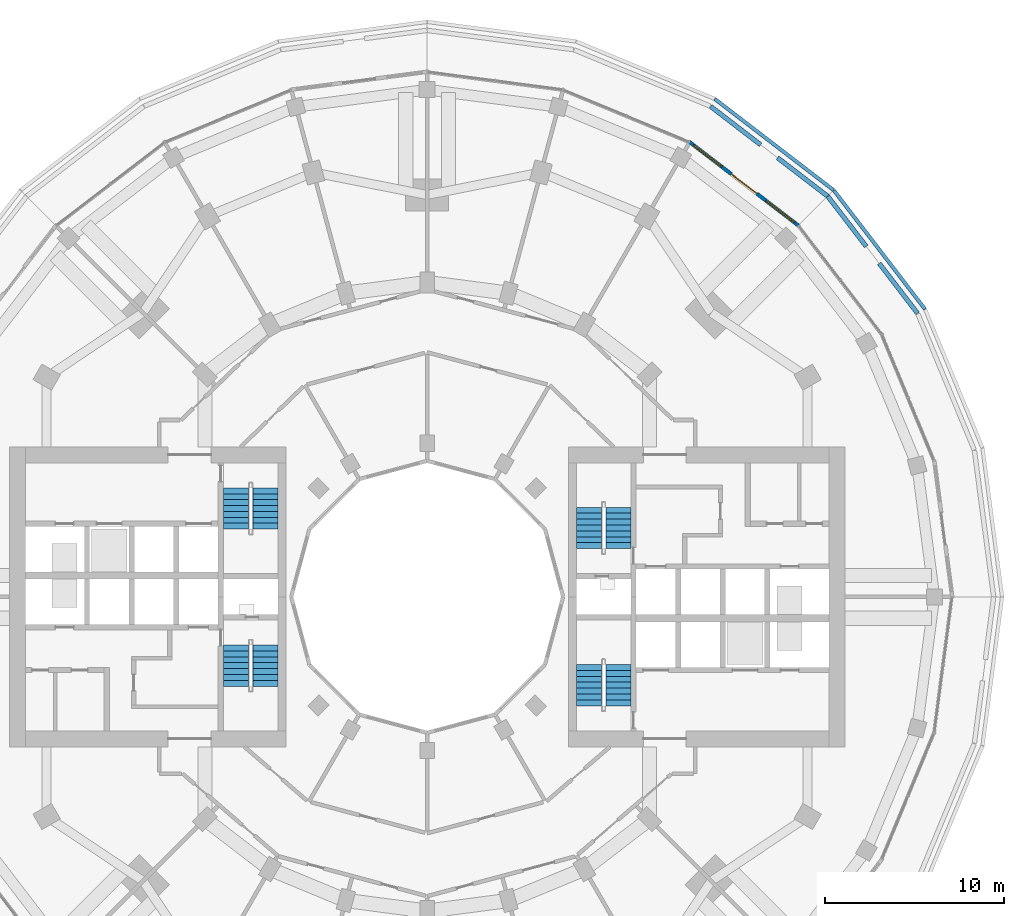
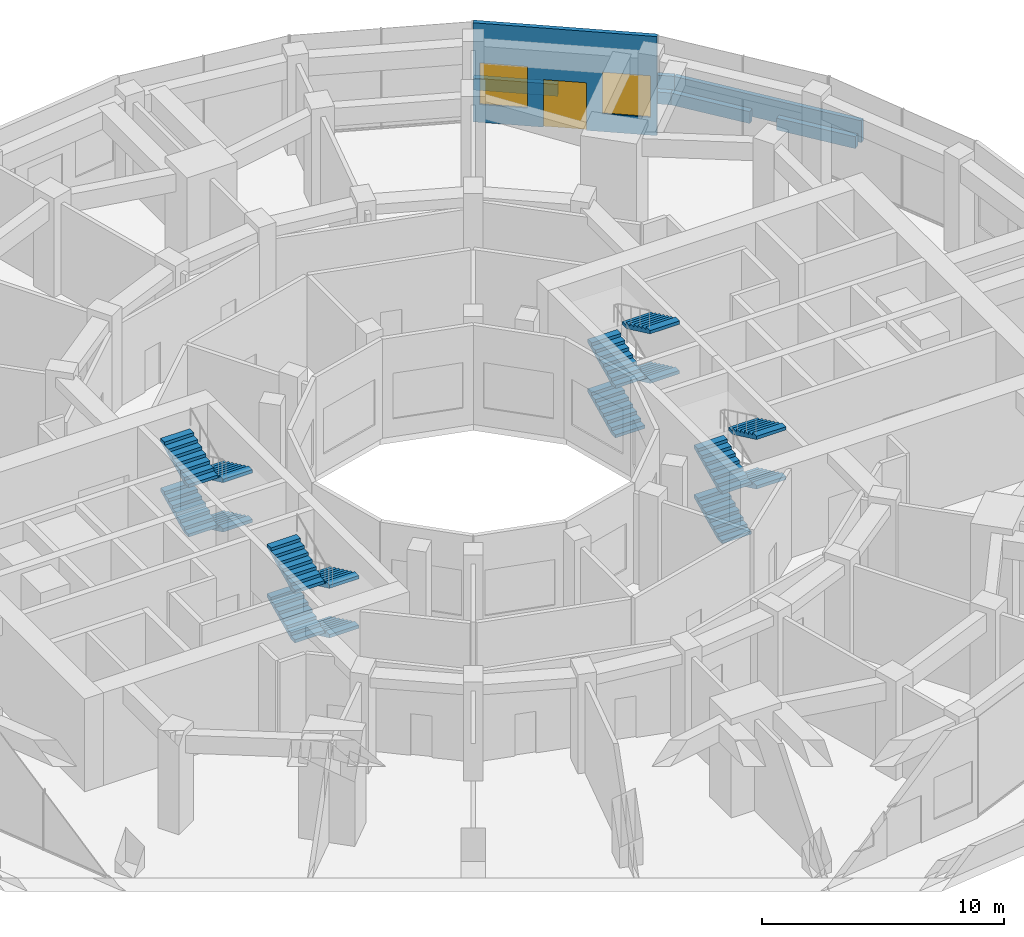
# One storey, part 17 of 19: 16 stair flights, 7 walls, 2 windows, 1 door, 3 openings, 4 elements without a shape of their own.
"""IFC4 building model written with IfcOpenShell, lengths in metres."""

from ifc_helpers import new_model, si_unit, direction, frame, frame_2d, origin, place, context, subcontext, project, spatial, polyline, rectangle, outline, extrude, material, layer, layer_set, type_object, element, fill, aggregate, save


model = new_model("IFC4")

# Units and contexts
model_context = context("Model", 3, precision=1e-05, world=origin(), true_north=direction((0.0, 1.0)))
body_context = subcontext(model_context, "Body", "Model", "MODEL_VIEW")
ifc_project = project(units=[si_unit("LENGTHUNIT", "METRE"), si_unit("AREAUNIT", "SQUARE_METRE"), si_unit("VOLUMEUNIT", "CUBIC_METRE"), si_unit("PLANEANGLEUNIT", "RADIAN"), si_unit("MASSUNIT", "GRAM", prefix="KILO")], contexts=[model_context])

# Site, building, storey
site_placement = place(None, origin())
site = spatial("IfcSite", under=ifc_project, at=site_placement, CompositionType="ELEMENT")
building_placement = place(site_placement, origin())
building = spatial("IfcBuilding", under=site, at=building_placement, Name="Torre Brocal", CompositionType="ELEMENT")
storey_placement = place(building_placement, frame((0.0, 0.0, 23.800048828125)))
storey = spatial("IfcBuildingStorey", under=building, at=storey_placement, Name="L04", CompositionType="ELEMENT", Elevation=23.800048828125)

# Wall, openings, windows, door
ifc_material_1 = material(Name="Concrete C40", Category="concrete")
ifc_layer_1 = layer(ifc_material_1, 0.199951171875)
ifc_layer_set_1 = layer_set([ifc_layer_1], Name="Concrete C40")
wall_type_1 = type_object("IfcWallType", Name="EXTERNAL WALL 200", PredefinedType="NOTDEFINED", material=ifc_layer_set_1)
wall_1_placement = place(storey_placement, frame((100.788330078125, 95.788330078125, 0.0), z_axis=(0.0, 0.0, 1.0), x_axis=(-0.793355415567, 0.608758724447, 0.0)))
wall_1 = element("IfcWall", 1, at=wall_1_placement, inside=storey, type_object=wall_type_1, Name="EXTERNAL WALL", PredefinedType="NOTDEFINED", context=body_context, shape_type="SweptSolid", body=[
    extrude(rectangle(XDim=7.6748046875, YDim=0.199951171875, at=frame_2d((3.83740234375, 0.0))), origin(), (0.0, 0.0, 1.0), 5.0),
])
opening_1_placement = place(wall_1_placement, frame((0.279052734375, 0.0, 0.89990234375)))
opening_1 = element("IfcOpeningElement", 2, at=opening_1_placement, cuts=wall_1, Name="Opening W8", PredefinedType="OPENING", context=body_context, shape_type="SweptSolid", body=[
    extrude(rectangle(XDim=2.0, YDim=2.10009765625, at=frame_2d((1.0, 1.050048828125))), frame((0.0, 0.10986328125, 0.0), z_axis=(0.0, -1.0, 0.0), x_axis=(1.0, 0.0, 0.0)), (0.0, 0.0, 1.0), 0.219970703125),
])
opening_2_placement = place(wall_1_placement, frame((2.937255859375, 0.0, 0.0)))
opening_2 = element("IfcOpeningElement", 3, at=opening_2_placement, cuts=wall_1, Name="Opening L04-E02", PredefinedType="OPENING", context=body_context, shape_type="SweptSolid", body=[
    extrude(rectangle(XDim=1.800048828125, YDim=2.39990234375, at=frame_2d((0.89990234375, 1.199951171875))), frame((0.0, 0.10986328125, 0.0), z_axis=(0.0, -1.0, 0.0), x_axis=(1.0, 0.0, 0.0)), (0.0, 0.0, 1.0), 0.219970703125),
])
opening_3_placement = place(wall_1_placement, frame((5.3955078125, 0.0, 0.89990234375)))
opening_3 = element("IfcOpeningElement", 4, at=opening_3_placement, cuts=wall_1, Name="Opening W8", PredefinedType="OPENING", context=body_context, shape_type="SweptSolid", body=[
    extrude(rectangle(XDim=2.0, YDim=2.10009765625, at=frame_2d((1.0, 1.050048828125))), frame((0.0, 0.10986328125, 0.0), z_axis=(0.0, -1.0, 0.0), x_axis=(1.0, 0.0, 0.0)), (0.0, 0.0, 1.0), 0.219970703125),
])
ifc_material_2 = material(Name="Aluminium and glass", Category="aluminium")
window_type = type_object("IfcWindowType", Name="PODIUM WINDOW 2000X2100", PartitioningType="SINGLE_PANEL", PredefinedType="WINDOW", material=ifc_material_2)
window_1_placement = place(opening_1_placement, origin())
window_1 = element("IfcWindow", 5, at=window_1_placement, inside=storey, type_object=window_type, Name="PODIUM WINDOW 2000X2100", OverallHeight=2.10009765625, OverallWidth=2.0, PartitioningType="SINGLE_PANEL", PredefinedType="WINDOW", context=body_context, shape_type="SweptSolid", body=[
    extrude(rectangle(XDim=2.0, YDim=2.10009765625, at=frame_2d((1.0, 1.050048828125))), frame((0.0, 0.030029296875, 0.0), z_axis=(0.0, -1.0, 0.0), x_axis=(1.0, 0.0, 0.0)), (0.0, 0.0, 1.0), 0.06005859375),
])
fill(opening_1, window_1)
window_2_placement = place(opening_3_placement, origin())
window_2 = element("IfcWindow", 6, at=window_2_placement, inside=storey, type_object=window_type, Name="PODIUM WINDOW 2000X2100", OverallHeight=2.10009765625, OverallWidth=2.0, PartitioningType="SINGLE_PANEL", PredefinedType="WINDOW", context=body_context, shape_type="SweptSolid", body=[
    extrude(rectangle(XDim=2.0, YDim=2.10009765625, at=frame_2d((1.0, 1.050048828125))), frame((0.0, 0.030029296875, 0.0), z_axis=(0.0, -1.0, 0.0), x_axis=(1.0, 0.0, 0.0)), (0.0, 0.0, 1.0), 0.06005859375),
])
fill(opening_3, window_2)
ifc_material_3 = material(Name="Aluminium and glass", Category="aluminium")
door_type = type_object("IfcDoorType", Name="TERRACE DOUBLE DOOR 1800X2400", OperationType="DOUBLE_DOOR_SINGLE_SWING", PredefinedType="DOOR", material=ifc_material_3)
door_placement = place(opening_2_placement, frame((1.800048828125, 0.0, 0.0), z_axis=(0.0, 0.0, 1.0), x_axis=(-1.0, 0.0, 0.0)))
door = element("IfcDoor", 7, at=door_placement, inside=storey, type_object=door_type, Name="DOOR L04-E02", OperationType="DOUBLE_DOOR_SINGLE_SWING", OverallHeight=2.39990234375, OverallWidth=1.800048828125, PredefinedType="DOOR", context=body_context, shape_type="SweptSolid", body=[
    extrude(rectangle(XDim=1.800048828125, YDim=2.39990234375, at=frame_2d((0.89990234375, 1.199951171875))), frame((0.0, 0.02490234375, 0.0), z_axis=(0.0, -1.0, 0.0), x_axis=(1.0, 0.0, 0.0)), (0.0, 0.0, 1.0), 0.050048828125),
])
fill(opening_2, door)

# Walls
ifc_material_4 = material(Name="Concrete C40", Category="concrete")
ifc_layer_2 = layer(ifc_material_4, 0.199951171875)
ifc_layer_set_2 = layer_set([ifc_layer_2], Name="Concrete C40")
wall_type_2 = type_object("IfcWallType", Name="PARAPET WALL 200 THICK 1100 HIGH 4", PredefinedType="PARAPET", material=ifc_layer_set_2)
for number, where, z_axis, x_axis, name in (
    (8, (96.109130859375, 102.875732421875, 0.0), (0.0, 0.0, 1.0), (0.793350233536, -0.60876547779, 0.0), "PARAPET WALL 21"),
    (9, (102.77490234375, 97.756591796875, 0.0), (0.0, 0.0, 1.0), (0.60876547779, -0.793350233536, 0.0), "PARAPET WALL 22"),
):
    element("IfcWall", number, at=place(storey_placement, frame(where, z_axis=z_axis, x_axis=x_axis)), inside=storey, type_object=wall_type_2, Name=name, PredefinedType="PARAPET", context=body_context, shape_type="SweptSolid", body=[
        extrude(rectangle(XDim=8.37890625, YDim=0.199951171875, at=frame_2d((4.189453125, 0.0))), origin(), (0.0, 0.0, 1.0), 1.099853515625),
    ])
ifc_material_5 = material(Name="Concrete C35", Category="concrete")
ifc_layer_3 = layer(ifc_material_5, 0.25)
ifc_layer_set_3 = layer_set([ifc_layer_3], Name="Concrete C35")
wall_type_3 = type_object("IfcWallType", Name="PLANTER WALL 250 THICK 600 HIGH 4", PredefinedType="USERDEFINED", material=ifc_layer_set_3)
wall_2_placement = place(storey_placement, frame((102.4287109375, 97.4287109375, 0.0), z_axis=(0.0, 0.0, 1.0), x_axis=(0.608747119025, -0.793364320523, 0.0)))
element("IfcWall", 10, at=wall_2_placement, inside=storey, type_object=wall_type_3, Name="PLANTER", ObjectType="PLANTER", PredefinedType="USERDEFINED", context=body_context, shape_type="SweptSolid", body=[
    extrude(rectangle(XDim=3.5400390625, YDim=0.25, at=frame_2d((1.77001953125, 0.0))), origin(), (0.0, 0.0, 1.0), 0.599853515625),
])
for number, where, z_axis, x_axis, name in (
    (11, (105.314453125, 93.66796875, 0.0), (0.0, 0.0, 1.0), (0.608766051188, -0.793349793547, 0.0), "PLANTER"),
    (12, (95.87255859375, 102.45947265625, 0.0), (0.0, 0.0, 1.0), (0.793349793547, -0.608766051188, 0.0), "PLANTER"),
):
    element("IfcWall", number, at=place(storey_placement, frame(where, z_axis=z_axis, x_axis=x_axis)), inside=storey, type_object=wall_type_3, Name=name, ObjectType="PLANTER", PredefinedType="USERDEFINED", context=body_context, shape_type="SweptSolid", body=[
        extrude(rectangle(XDim=3.5234375, YDim=0.25, at=frame_2d((1.76171875, 0.0))), origin(), (0.0, 0.0, 1.0), 0.599853515625),
    ])
wall_3_placement = place(storey_placement, frame((99.6201171875, 99.583740234375, 0.0), z_axis=(0.0, 0.0, 1.0), x_axis=(0.793364320523, -0.608747119025, 0.0)))
element("IfcWall", 13, at=wall_3_placement, inside=storey, type_object=wall_type_3, Name="PLANTER", ObjectType="PLANTER", PredefinedType="USERDEFINED", context=body_context, shape_type="SweptSolid", body=[
    extrude(rectangle(XDim=3.5400390625, YDim=0.25, at=frame_2d((1.77001953125, 0.0))), origin(), (0.0, 0.0, 1.0), 0.599853515625),
])

# Stair, stair flights
ifc_material_6 = material(Name="Concrete C50", Category="concrete")
stair_type = type_object("IfcStairType", Name="EXIT STAIR", PredefinedType="HALF_TURN_STAIR", material=ifc_material_6)
stair_1_placement = place(storey_placement, origin())
stair_1 = element("IfcStair", 14, at=stair_1_placement, inside=storey, type_object=stair_type, Name="EXIT STAIR ST1", PredefinedType="HALF_TURN_STAIR")
ifc_material_7 = material(Name="Concrete C50", Category="concrete")
ifc_layer_4 = layer(ifc_material_7, 0.14990234375)
ifc_layer_set_4 = layer_set([ifc_layer_4], Name="Concrete C50")
stair_flight_type = type_object("IfcStairFlightType", Name="STAIR FLIGHT", PredefinedType="STRAIGHT", material=ifc_layer_set_4)
stair_flight_1_placement = place(storey_placement, frame((89.050048828125, 77.699951171875, 0.0), z_axis=(0.0, 0.0, 1.0), x_axis=(0.0, 1.0, 0.0)))
stair_flight_1 = element("IfcStairFlight", 15, at=stair_flight_1_placement, type_object=stair_flight_type, Name="ST1 flight 1", NumberOfRisers=8, NumberOfTreads=7, PredefinedType="STRAIGHT", RiserHeight=0.15625, TreadLength=0.33, context=body_context, shape_type="SweptSolid", body=[
    extrude(outline(polyline([(0.0, 0.0), (0.0, 0.15625), (0.330078125, 0.15625), (0.330078125, 0.3125), (0.659912109375, 0.3125), (0.659912109375, 0.46875), (0.989990234375, 0.46875), (0.989990234375, 0.625), (1.320068359375, 0.625), (1.320068359375, 0.78125), (1.64990234375, 0.78125), (1.64990234375, 0.9375), (1.97998046875, 0.9375), (1.97998046875, 1.09375), (2.31005859375, 1.09375), (2.31005859375, 1.25), (2.31005859375, 0.927978515625), (0.350341796875, 0.0), (0.0, 0.0)])), frame((0.0, 0.699951171875, 0.0), z_axis=(0.0, -1.0, 0.0), x_axis=(1.0, 0.0, 0.0)), (0.0, 0.0, 1.0), 1.39990234375),
])
stair_flight_2_placement = place(storey_placement, frame((90.699951171875, 80.010009765625, 1.25), z_axis=(0.0, 0.0, 1.0), x_axis=(0.0, -1.0, 0.0)))
stair_flight_2 = element("IfcStairFlight", 16, at=stair_flight_2_placement, type_object=stair_flight_type, Name="ST1 flight 2", NumberOfRisers=8, NumberOfTreads=7, PredefinedType="STRAIGHT", RiserHeight=0.15625, TreadLength=0.33, context=body_context, shape_type="SweptSolid", body=[
    extrude(outline(polyline([(0.0, 0.0), (0.0, 0.15625), (0.330078125, 0.15625), (0.330078125, 0.3125), (0.659912109375, 0.3125), (0.659912109375, 0.46875), (0.989990234375, 0.46875), (0.989990234375, 0.625), (1.320068359375, 0.625), (1.320068359375, 0.78125), (1.64990234375, 0.78125), (1.64990234375, 0.9375), (1.97998046875, 0.9375), (1.97998046875, 1.09375), (2.31005859375, 1.09375), (2.31005859375, 1.25), (2.31005859375, 0.927978515625), (0.350341796875, 0.0), (0.0, 0.0)])), frame((0.0, 0.699951171875, 0.0), z_axis=(0.0, -1.0, 0.0), x_axis=(1.0, 0.0, 0.0)), (0.0, 0.0, 1.0), 1.39990234375),
])
stair_flight_3_placement = place(storey_placement, frame((89.050048828125, 77.699951171875, 2.5), z_axis=(0.0, 0.0, 1.0), x_axis=(0.0, 1.0, 0.0)))
stair_flight_3 = element("IfcStairFlight", 17, at=stair_flight_3_placement, type_object=stair_flight_type, Name="ST1 flight 3", NumberOfRisers=8, NumberOfTreads=7, PredefinedType="STRAIGHT", RiserHeight=0.15625, TreadLength=0.33, context=body_context, shape_type="SweptSolid", body=[
    extrude(outline(polyline([(0.0, 0.0), (0.0, 0.15625), (0.330078125, 0.15625), (0.330078125, 0.3125), (0.659912109375, 0.3125), (0.659912109375, 0.46875), (0.989990234375, 0.46875), (0.989990234375, 0.625), (1.320068359375, 0.625), (1.320068359375, 0.78125), (1.64990234375, 0.78125), (1.64990234375, 0.9375), (1.97998046875, 0.9375), (1.97998046875, 1.09375), (2.31005859375, 1.09375), (2.31005859375, 1.25), (2.31005859375, 0.927978515625), (0.350341796875, 0.0), (0.0, 0.0)])), frame((0.0, 0.699951171875, 0.0), z_axis=(0.0, -1.0, 0.0), x_axis=(1.0, 0.0, 0.0)), (0.0, 0.0, 1.0), 1.39990234375),
])
stair_flight_4_placement = place(storey_placement, frame((90.699951171875, 80.010009765625, 3.75), z_axis=(0.0, 0.0, 1.0), x_axis=(0.0, -1.0, 0.0)))
stair_flight_4 = element("IfcStairFlight", 18, at=stair_flight_4_placement, type_object=stair_flight_type, Name="ST1 flight 4", NumberOfRisers=8, NumberOfTreads=7, PredefinedType="STRAIGHT", RiserHeight=0.15625, TreadLength=0.33, context=body_context, shape_type="SweptSolid", body=[
    extrude(outline(polyline([(0.0, 0.0), (0.0, 0.15625), (0.330078125, 0.15625), (0.330078125, 0.3125), (0.659912109375, 0.3125), (0.659912109375, 0.46875), (0.989990234375, 0.46875), (0.989990234375, 0.625), (1.320068359375, 0.625), (1.320068359375, 0.78125), (1.64990234375, 0.78125), (1.64990234375, 0.9375), (1.97998046875, 0.9375), (1.97998046875, 1.09375), (2.31005859375, 1.09375), (2.31005859375, 1.25), (2.31005859375, 0.927978515625), (0.350341796875, 0.0), (0.0, 0.0)])), frame((0.0, 0.699951171875, 0.0), z_axis=(0.0, -1.0, 0.0), x_axis=(1.0, 0.0, 0.0)), (0.0, 0.0, 1.0), 1.39990234375),
])
aggregate(stair_1, [stair_flight_1, stair_flight_2, stair_flight_3, stair_flight_4])

stair_2_placement = place(storey_placement, origin())
stair_2 = element("IfcStair", 19, at=stair_2_placement, inside=storey, type_object=stair_type, Name="EXIT STAIR ST2", PredefinedType="HALF_TURN_STAIR")
stair_flight_5_placement = place(storey_placement, frame((89.050048828125, 68.89990234375, 0.0), z_axis=(0.0, 0.0, 1.0), x_axis=(0.0, 1.0, 0.0)))
stair_flight_5 = element("IfcStairFlight", 20, at=stair_flight_5_placement, type_object=stair_flight_type, Name="ST2 flight 1", NumberOfRisers=8, NumberOfTreads=7, PredefinedType="STRAIGHT", RiserHeight=0.15625, TreadLength=0.33, context=body_context, shape_type="SweptSolid", body=[
    extrude(outline(polyline([(0.0, 0.0), (0.0, 0.15625), (0.330078125, 0.15625), (0.330078125, 0.3125), (0.659912109375, 0.3125), (0.659912109375, 0.46875), (0.989990234375, 0.46875), (0.989990234375, 0.625), (1.320068359375, 0.625), (1.320068359375, 0.78125), (1.64990234375, 0.78125), (1.64990234375, 0.9375), (1.97998046875, 0.9375), (1.97998046875, 1.09375), (2.31005859375, 1.09375), (2.31005859375, 1.25), (2.31005859375, 0.927978515625), (0.350341796875, 0.0), (0.0, 0.0)])), frame((0.0, 0.699951171875, 0.0), z_axis=(0.0, -1.0, 0.0), x_axis=(1.0, 0.0, 0.0)), (0.0, 0.0, 1.0), 1.39990234375),
])
stair_flight_6_placement = place(storey_placement, frame((90.699951171875, 71.2099609375, 1.25), z_axis=(0.0, 0.0, 1.0), x_axis=(0.0, -1.0, 0.0)))
stair_flight_6 = element("IfcStairFlight", 21, at=stair_flight_6_placement, type_object=stair_flight_type, Name="ST2 flight 2", NumberOfRisers=8, NumberOfTreads=7, PredefinedType="STRAIGHT", RiserHeight=0.15625, TreadLength=0.33, context=body_context, shape_type="SweptSolid", body=[
    extrude(outline(polyline([(0.0, 0.0), (0.0, 0.15625), (0.330078125, 0.15625), (0.330078125, 0.3125), (0.659912109375, 0.3125), (0.659912109375, 0.46875), (0.989990234375, 0.46875), (0.989990234375, 0.625), (1.320068359375, 0.625), (1.320068359375, 0.78125), (1.64990234375, 0.78125), (1.64990234375, 0.9375), (1.97998046875, 0.9375), (1.97998046875, 1.09375), (2.31005859375, 1.09375), (2.31005859375, 1.25), (2.31005859375, 0.927978515625), (0.350341796875, 0.0), (0.0, 0.0)])), frame((0.0, 0.699951171875, 0.0), z_axis=(0.0, -1.0, 0.0), x_axis=(1.0, 0.0, 0.0)), (0.0, 0.0, 1.0), 1.39990234375),
])
stair_flight_7_placement = place(storey_placement, frame((89.050048828125, 68.89990234375, 2.5), z_axis=(0.0, 0.0, 1.0), x_axis=(0.0, 1.0, 0.0)))
stair_flight_7 = element("IfcStairFlight", 22, at=stair_flight_7_placement, type_object=stair_flight_type, Name="ST2 flight 3", NumberOfRisers=8, NumberOfTreads=7, PredefinedType="STRAIGHT", RiserHeight=0.15625, TreadLength=0.33, context=body_context, shape_type="SweptSolid", body=[
    extrude(outline(polyline([(0.0, 0.0), (0.0, 0.15625), (0.330078125, 0.15625), (0.330078125, 0.3125), (0.659912109375, 0.3125), (0.659912109375, 0.46875), (0.989990234375, 0.46875), (0.989990234375, 0.625), (1.320068359375, 0.625), (1.320068359375, 0.78125), (1.64990234375, 0.78125), (1.64990234375, 0.9375), (1.97998046875, 0.9375), (1.97998046875, 1.09375), (2.31005859375, 1.09375), (2.31005859375, 1.25), (2.31005859375, 0.927978515625), (0.350341796875, 0.0), (0.0, 0.0)])), frame((0.0, 0.699951171875, 0.0), z_axis=(0.0, -1.0, 0.0), x_axis=(1.0, 0.0, 0.0)), (0.0, 0.0, 1.0), 1.39990234375),
])
stair_flight_8_placement = place(storey_placement, frame((90.699951171875, 71.2099609375, 3.75), z_axis=(0.0, 0.0, 1.0), x_axis=(0.0, -1.0, 0.0)))
stair_flight_8 = element("IfcStairFlight", 23, at=stair_flight_8_placement, type_object=stair_flight_type, Name="ST2 flight 4", NumberOfRisers=8, NumberOfTreads=7, PredefinedType="STRAIGHT", RiserHeight=0.15625, TreadLength=0.33, context=body_context, shape_type="SweptSolid", body=[
    extrude(outline(polyline([(0.0, 0.0), (0.0, 0.15625), (0.330078125, 0.15625), (0.330078125, 0.3125), (0.659912109375, 0.3125), (0.659912109375, 0.46875), (0.989990234375, 0.46875), (0.989990234375, 0.625), (1.320068359375, 0.625), (1.320068359375, 0.78125), (1.64990234375, 0.78125), (1.64990234375, 0.9375), (1.97998046875, 0.9375), (1.97998046875, 1.09375), (2.31005859375, 1.09375), (2.31005859375, 1.25), (2.31005859375, 0.927978515625), (0.350341796875, 0.0), (0.0, 0.0)])), frame((0.0, 0.699951171875, 0.0), z_axis=(0.0, -1.0, 0.0), x_axis=(1.0, 0.0, 0.0)), (0.0, 0.0, 1.0), 1.39990234375),
])
aggregate(stair_2, [stair_flight_5, stair_flight_6, stair_flight_7, stair_flight_8])

stair_3_placement = place(storey_placement, origin())
stair_3 = element("IfcStair", 24, at=stair_3_placement, inside=storey, type_object=stair_type, Name="EXIT STAIR ST3", PredefinedType="HALF_TURN_STAIR")
stair_flight_9_placement = place(storey_placement, frame((70.949951171875, 72.300048828125, 0.0), z_axis=(0.0, 0.0, 1.0), x_axis=(0.0, -1.0, 0.0)))
stair_flight_9 = element("IfcStairFlight", 25, at=stair_flight_9_placement, type_object=stair_flight_type, Name="ST3 flight 1", NumberOfRisers=8, NumberOfTreads=7, PredefinedType="STRAIGHT", RiserHeight=0.15625, TreadLength=0.33, context=body_context, shape_type="SweptSolid", body=[
    extrude(outline(polyline([(0.0, 0.0), (0.0, 0.15625), (0.330078125, 0.15625), (0.330078125, 0.3125), (0.659912109375, 0.3125), (0.659912109375, 0.46875), (0.989990234375, 0.46875), (0.989990234375, 0.625), (1.320068359375, 0.625), (1.320068359375, 0.78125), (1.64990234375, 0.78125), (1.64990234375, 0.9375), (1.97998046875, 0.9375), (1.97998046875, 1.09375), (2.31005859375, 1.09375), (2.31005859375, 1.25), (2.31005859375, 0.927978515625), (0.350341796875, 0.0), (0.0, 0.0)])), frame((0.0, 0.699951171875, 0.0), z_axis=(0.0, -1.0, 0.0), x_axis=(1.0, 0.0, 0.0)), (0.0, 0.0, 1.0), 1.39990234375),
])
stair_flight_10_placement = place(storey_placement, frame((69.300048828125, 69.989990234375, 1.25), z_axis=(0.0, 0.0, 1.0), x_axis=(0.0, 1.0, 0.0)))
stair_flight_10 = element("IfcStairFlight", 26, at=stair_flight_10_placement, type_object=stair_flight_type, Name="ST3 flight 2", NumberOfRisers=8, NumberOfTreads=7, PredefinedType="STRAIGHT", RiserHeight=0.15625, TreadLength=0.33, context=body_context, shape_type="SweptSolid", body=[
    extrude(outline(polyline([(0.0, 0.0), (0.0, 0.15625), (0.330078125, 0.15625), (0.330078125, 0.3125), (0.659912109375, 0.3125), (0.659912109375, 0.46875), (0.989990234375, 0.46875), (0.989990234375, 0.625), (1.320068359375, 0.625), (1.320068359375, 0.78125), (1.64990234375, 0.78125), (1.64990234375, 0.9375), (1.97998046875, 0.9375), (1.97998046875, 1.09375), (2.31005859375, 1.09375), (2.31005859375, 1.25), (2.31005859375, 0.927978515625), (0.350341796875, 0.0), (0.0, 0.0)])), frame((0.0, 0.699951171875, 0.0), z_axis=(0.0, -1.0, 0.0), x_axis=(1.0, 0.0, 0.0)), (0.0, 0.0, 1.0), 1.39990234375),
])
stair_flight_11_placement = place(storey_placement, frame((70.949951171875, 72.300048828125, 2.5), z_axis=(0.0, 0.0, 1.0), x_axis=(0.0, -1.0, 0.0)))
stair_flight_11 = element("IfcStairFlight", 27, at=stair_flight_11_placement, type_object=stair_flight_type, Name="ST3 flight 3", NumberOfRisers=8, NumberOfTreads=7, PredefinedType="STRAIGHT", RiserHeight=0.15625, TreadLength=0.33, context=body_context, shape_type="SweptSolid", body=[
    extrude(outline(polyline([(0.0, 0.0), (0.0, 0.15625), (0.330078125, 0.15625), (0.330078125, 0.3125), (0.659912109375, 0.3125), (0.659912109375, 0.46875), (0.989990234375, 0.46875), (0.989990234375, 0.625), (1.320068359375, 0.625), (1.320068359375, 0.78125), (1.64990234375, 0.78125), (1.64990234375, 0.9375), (1.97998046875, 0.9375), (1.97998046875, 1.09375), (2.31005859375, 1.09375), (2.31005859375, 1.25), (2.31005859375, 0.927978515625), (0.350341796875, 0.0), (0.0, 0.0)])), frame((0.0, 0.699951171875, 0.0), z_axis=(0.0, -1.0, 0.0), x_axis=(1.0, 0.0, 0.0)), (0.0, 0.0, 1.0), 1.39990234375),
])
stair_flight_12_placement = place(storey_placement, frame((69.300048828125, 69.989990234375, 3.75), z_axis=(0.0, 0.0, 1.0), x_axis=(0.0, 1.0, 0.0)))
stair_flight_12 = element("IfcStairFlight", 28, at=stair_flight_12_placement, type_object=stair_flight_type, Name="ST3 flight 4", NumberOfRisers=8, NumberOfTreads=7, PredefinedType="STRAIGHT", RiserHeight=0.15625, TreadLength=0.33, context=body_context, shape_type="SweptSolid", body=[
    extrude(outline(polyline([(0.0, 0.0), (0.0, 0.15625), (0.330078125, 0.15625), (0.330078125, 0.3125), (0.659912109375, 0.3125), (0.659912109375, 0.46875), (0.989990234375, 0.46875), (0.989990234375, 0.625), (1.320068359375, 0.625), (1.320068359375, 0.78125), (1.64990234375, 0.78125), (1.64990234375, 0.9375), (1.97998046875, 0.9375), (1.97998046875, 1.09375), (2.31005859375, 1.09375), (2.31005859375, 1.25), (2.31005859375, 0.927978515625), (0.350341796875, 0.0), (0.0, 0.0)])), frame((0.0, 0.699951171875, 0.0), z_axis=(0.0, -1.0, 0.0), x_axis=(1.0, 0.0, 0.0)), (0.0, 0.0, 1.0), 1.39990234375),
])
aggregate(stair_3, [stair_flight_9, stair_flight_10, stair_flight_11, stair_flight_12])

stair_4_placement = place(storey_placement, origin())
stair_4 = element("IfcStair", 29, at=stair_4_placement, inside=storey, type_object=stair_type, Name="EXIT STAIR ST4", PredefinedType="HALF_TURN_STAIR")
stair_flight_13_placement = place(storey_placement, frame((70.949951171875, 81.10009765625, 0.0), z_axis=(0.0, 0.0, 1.0), x_axis=(0.0, -1.0, 0.0)))
stair_flight_13 = element("IfcStairFlight", 30, at=stair_flight_13_placement, type_object=stair_flight_type, Name="ST4 flight 1", NumberOfRisers=8, NumberOfTreads=7, PredefinedType="STRAIGHT", RiserHeight=0.15625, TreadLength=0.33, context=body_context, shape_type="SweptSolid", body=[
    extrude(outline(polyline([(0.0, 0.0), (0.0, 0.15625), (0.330078125, 0.15625), (0.330078125, 0.3125), (0.659912109375, 0.3125), (0.659912109375, 0.46875), (0.989990234375, 0.46875), (0.989990234375, 0.625), (1.320068359375, 0.625), (1.320068359375, 0.78125), (1.64990234375, 0.78125), (1.64990234375, 0.9375), (1.97998046875, 0.9375), (1.97998046875, 1.09375), (2.31005859375, 1.09375), (2.31005859375, 1.25), (2.31005859375, 0.927978515625), (0.350341796875, 0.0), (0.0, 0.0)])), frame((0.0, 0.699951171875, 0.0), z_axis=(0.0, -1.0, 0.0), x_axis=(1.0, 0.0, 0.0)), (0.0, 0.0, 1.0), 1.39990234375),
])
stair_flight_14_placement = place(storey_placement, frame((69.300048828125, 78.7900390625, 1.25), z_axis=(0.0, 0.0, 1.0), x_axis=(0.0, 1.0, 0.0)))
stair_flight_14 = element("IfcStairFlight", 31, at=stair_flight_14_placement, type_object=stair_flight_type, Name="ST4 flight 2", NumberOfRisers=8, NumberOfTreads=7, PredefinedType="STRAIGHT", RiserHeight=0.15625, TreadLength=0.33, context=body_context, shape_type="SweptSolid", body=[
    extrude(outline(polyline([(0.0, 0.0), (0.0, 0.15625), (0.330078125, 0.15625), (0.330078125, 0.3125), (0.659912109375, 0.3125), (0.659912109375, 0.46875), (0.989990234375, 0.46875), (0.989990234375, 0.625), (1.320068359375, 0.625), (1.320068359375, 0.78125), (1.64990234375, 0.78125), (1.64990234375, 0.9375), (1.97998046875, 0.9375), (1.97998046875, 1.09375), (2.31005859375, 1.09375), (2.31005859375, 1.25), (2.31005859375, 0.927978515625), (0.350341796875, 0.0), (0.0, 0.0)])), frame((0.0, 0.699951171875, 0.0), z_axis=(0.0, -1.0, 0.0), x_axis=(1.0, 0.0, 0.0)), (0.0, 0.0, 1.0), 1.39990234375),
])
stair_flight_15_placement = place(storey_placement, frame((70.949951171875, 81.10009765625, 2.5), z_axis=(0.0, 0.0, 1.0), x_axis=(0.0, -1.0, 0.0)))
stair_flight_15 = element("IfcStairFlight", 32, at=stair_flight_15_placement, type_object=stair_flight_type, Name="ST4 flight 3", NumberOfRisers=8, NumberOfTreads=7, PredefinedType="STRAIGHT", RiserHeight=0.15625, TreadLength=0.33, context=body_context, shape_type="SweptSolid", body=[
    extrude(outline(polyline([(0.0, 0.0), (0.0, 0.15625), (0.330078125, 0.15625), (0.330078125, 0.3125), (0.659912109375, 0.3125), (0.659912109375, 0.46875), (0.989990234375, 0.46875), (0.989990234375, 0.625), (1.320068359375, 0.625), (1.320068359375, 0.78125), (1.64990234375, 0.78125), (1.64990234375, 0.9375), (1.97998046875, 0.9375), (1.97998046875, 1.09375), (2.31005859375, 1.09375), (2.31005859375, 1.25), (2.31005859375, 0.927978515625), (0.350341796875, 0.0), (0.0, 0.0)])), frame((0.0, 0.699951171875, 0.0), z_axis=(0.0, -1.0, 0.0), x_axis=(1.0, 0.0, 0.0)), (0.0, 0.0, 1.0), 1.39990234375),
])
stair_flight_16_placement = place(storey_placement, frame((69.300048828125, 78.7900390625, 3.75), z_axis=(0.0, 0.0, 1.0), x_axis=(0.0, 1.0, 0.0)))
stair_flight_16 = element("IfcStairFlight", 33, at=stair_flight_16_placement, type_object=stair_flight_type, Name="ST4 flight 4", NumberOfRisers=8, NumberOfTreads=7, PredefinedType="STRAIGHT", RiserHeight=0.15625, TreadLength=0.33, context=body_context, shape_type="SweptSolid", body=[
    extrude(outline(polyline([(0.0, 0.0), (0.0, 0.15625), (0.330078125, 0.15625), (0.330078125, 0.3125), (0.659912109375, 0.3125), (0.659912109375, 0.46875), (0.989990234375, 0.46875), (0.989990234375, 0.625), (1.320068359375, 0.625), (1.320068359375, 0.78125), (1.64990234375, 0.78125), (1.64990234375, 0.9375), (1.97998046875, 0.9375), (1.97998046875, 1.09375), (2.31005859375, 1.09375), (2.31005859375, 1.25), (2.31005859375, 0.927978515625), (0.350341796875, 0.0), (0.0, 0.0)])), frame((0.0, 0.699951171875, 0.0), z_axis=(0.0, -1.0, 0.0), x_axis=(1.0, 0.0, 0.0)), (0.0, 0.0, 1.0), 1.39990234375),
])
aggregate(stair_4, [stair_flight_13, stair_flight_14, stair_flight_15, stair_flight_16])

save(model, "model.ifc")
